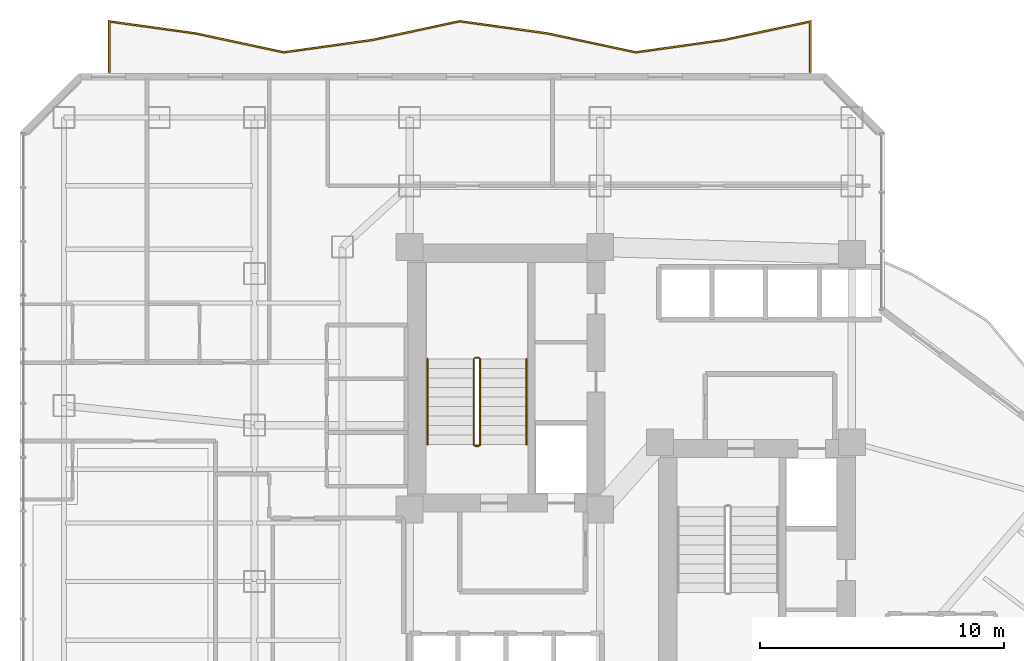
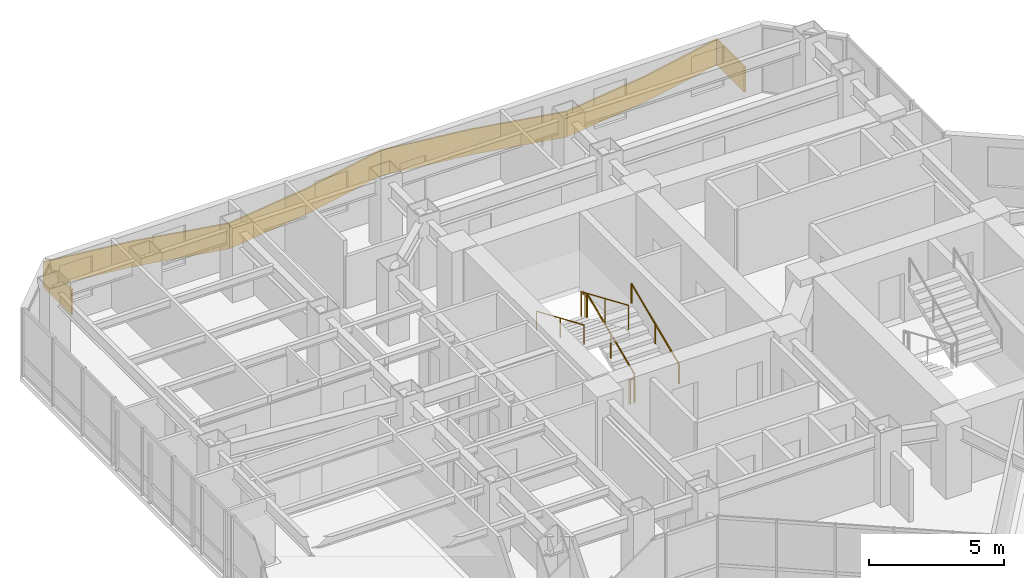
# One storey, part 35 of 36: 8 railings.
"""IFC4 building model written with IfcOpenShell, lengths in metres."""

from ifc_helpers import new_model, si_unit, direction, frame, origin, origin_2d, place, context, subcontext, project, spatial, polyline, circle, outline, extrude, material, layer, layer_set, type_object, element, save


model = new_model("IFC4")

# Units and contexts
model_context = context("Model", 3, precision=1e-05, world=origin(), true_north=direction((0.0, 1.0)))
body_context = subcontext(model_context, "Body", "Model", "MODEL_VIEW")
ifc_project = project(units=[si_unit("LENGTHUNIT", "METRE"), si_unit("AREAUNIT", "SQUARE_METRE"), si_unit("VOLUMEUNIT", "CUBIC_METRE"), si_unit("PLANEANGLEUNIT", "RADIAN"), si_unit("MASSUNIT", "GRAM", prefix="KILO")], contexts=[model_context])

# Site, building, storey
site_placement = place(None, origin())
site = spatial("IfcSite", under=ifc_project, at=site_placement, CompositionType="ELEMENT")
building_placement = place(site_placement, origin())
building = spatial("IfcBuilding", under=site, at=building_placement, Name="Hatsunagi Terrace Concourse", CompositionType="ELEMENT")
storey_placement = place(building_placement, frame((0.0, 0.0, 88.0)))
storey = spatial("IfcBuildingStorey", under=building, at=storey_placement, Name="L23", CompositionType="ELEMENT", Elevation=88.0)

# Railings
ifc_material_1 = material(Name="Laminated Glass and Stainless Steel Guard", Category="steel")
ifc_layer_1 = layer(ifc_material_1, 0.070068359375)
ifc_layer_set_1 = layer_set([ifc_layer_1], Name="BalconyGlassGuardRail_1150")
railing_type_1 = type_object("IfcRailingType", Name="BalconyGlassGuardRail_1150", PredefinedType="BALUSTRADE", material=ifc_layer_set_1)
railing_1_placement = place(storey_placement, origin())
element("IfcRailing", 1, at=railing_1_placement, inside=storey, type_object=railing_type_1, Name="Engawa Balcony Guard GRD-01 L23-BN-1", PredefinedType="BALUSTRADE", context=body_context, shape_type="SweptSolid", body=[
    extrude(outline(polyline([(13.215087890625, 50.449951171875), (13.284912109375, 50.449951171875), (13.284912109375, 52.48876953125), (16.784912109375, 52.00146484375), (20.396728515625, 51.2275390625), (24.01513671875, 51.7314453125), (27.603271484375, 52.49951171875), (31.184814453125, 52.00146484375), (34.796630859375, 51.2275390625), (38.4150390625, 51.7314453125), (41.9150390625, 52.480712890625), (41.9150390625, 50.449951171875), (41.985107421875, 50.449951171875), (41.985107421875, 52.5673828125), (38.40283203125, 51.800537109375), (34.79931640625, 51.298583984375), (31.197021484375, 52.070556640625), (27.6005859375, 52.570556640625), (24.0029296875, 51.800537109375), (20.3994140625, 51.298583984375), (16.797119140625, 52.070556640625), (13.215087890625, 52.569091796875), (13.215087890625, 50.449951171875)])), origin(), (0.0, 0.0, 1.0), 1.14990234375),
])
ifc_material_2 = material(Name="Stainless steel", Category="steel")
ifc_layer_2 = layer(ifc_material_2, 0.044921875)
ifc_layer_set_2 = layer_set([ifc_layer_2], Name="StairPitchHandrail_Tower2000")
railing_type_2 = type_object("IfcRailingType", Name="StairPitchHandrail_Tower2000", PredefinedType="HANDRAIL", material=ifc_layer_set_2)
railing_2_placement = place(storey_placement, frame((30.330078125, 35.199951171875, 0.16748046875)))
element("IfcRailing", 2, at=railing_2_placement, inside=storey, type_object=railing_type_2, Name="L23 ST-A stair handrail 1", PredefinedType="HANDRAIL", context=body_context, shape_type="SweptSolid", body=[
    extrude(circle(Radius=0.02392578125, at=origin_2d()), frame((0.0, 0.0, 0.8759765625), z_axis=(0.0, 0.918834009242, 0.394644223904), x_axis=(-1.0, 0.0, 0.0)), (0.0, 0.0, 1.0), 3.820068359375),
    extrude(circle(Radius=0.02099609375, at=origin_2d()), origin(), (0.0, 0.0, 1.0), 0.851806640625),
    extrude(circle(Radius=0.02099609375, at=origin_2d()), frame((0.0, 1.7548828125, 0.75390625)), (0.0, 0.0, 1.0), 0.851806640625),
    extrude(circle(Radius=0.02099609375, at=origin_2d()), frame((0.0, 3.510009765625, 1.507568359375)), (0.0, 0.0, 1.0), 0.851806640625),
])
railing_3_placement = place(storey_placement, frame((26.280029296875, 38.7099609375, 1.842529296875)))
element("IfcRailing", 3, at=railing_3_placement, inside=storey, type_object=railing_type_2, Name="L23 ST-A stair handrail 2", PredefinedType="HANDRAIL", context=body_context, shape_type="SweptSolid", body=[
    extrude(circle(Radius=0.02392578125, at=origin_2d()), frame((0.0, 0.0, 0.8759765625), z_axis=(0.0, -0.918834009242, 0.394644223904), x_axis=(1.0, 0.0, 0.0)), (0.0, 0.0, 1.0), 3.820068359375),
    extrude(circle(Radius=0.02099609375, at=origin_2d()), origin(), (0.0, 0.0, 1.0), 0.851806640625),
    extrude(circle(Radius=0.02099609375, at=origin_2d()), frame((0.0, -1.7548828125, 0.75390625)), (0.0, 0.0, 1.0), 0.851806640625),
    extrude(circle(Radius=0.02099609375, at=origin_2d()), frame((0.0, -3.510009765625, 1.507568359375)), (0.0, 0.0, 1.0), 0.851806640625),
])
ifc_material_3 = material(Name="Stainless steel", Category="steel")
ifc_layer_3 = layer(ifc_material_3, 0.06005859375)
ifc_layer_set_3 = layer_set([ifc_layer_3], Name="StairWellGuard_Tower2000")
railing_type_3 = type_object("IfcRailingType", Name="StairWellGuard_Tower2000", PredefinedType="BALUSTRADE", material=ifc_layer_set_3)
railing_4_placement = place(storey_placement, frame((28.429931640625, 35.199951171875, 0.16748046875)))
element("IfcRailing", 4, at=railing_4_placement, inside=storey, type_object=railing_type_3, Name="L23 ST-A stair guard 1", PredefinedType="BALUSTRADE", context=body_context, shape_type="SweptSolid", body=[
    extrude(circle(Radius=0.02392578125, at=origin_2d()), frame((0.0, 0.0, 1.09619140625), z_axis=(0.0, 0.918834009242, 0.394644223904), x_axis=(-1.0, 0.0, 0.0)), (0.0, 0.0, 1.0), 3.820068359375),
    extrude(circle(Radius=0.02099609375, at=origin_2d()), origin(), (0.0, 0.0, 1.0), 1.072021484375),
    extrude(circle(Radius=0.02099609375, at=origin_2d()), frame((0.0, 1.7548828125, 0.75390625)), (0.0, 0.0, 1.0), 1.072021484375),
    extrude(circle(Radius=0.02099609375, at=origin_2d()), frame((0.0, 3.510009765625, 1.507568359375)), (0.0, 0.0, 1.0), 1.072021484375),
])
railing_5_placement = place(storey_placement, frame((28.3798828125, 38.760009765625, 1.675048828125)))
element("IfcRailing", 5, at=railing_5_placement, inside=storey, type_object=railing_type_3, Name="L23 ST-A stair guard 2", PredefinedType="BALUSTRADE", context=body_context, shape_type="SweptSolid", body=[
    extrude(circle(Radius=0.02392578125, at=origin_2d()), frame((0.0, 0.0, 1.09619140625), z_axis=(-1.0, 0.0, 0.0), x_axis=(0.0, -1.0, 0.0)), (0.0, 0.0, 1.0), 0.14990234375),
    extrude(circle(Radius=0.02099609375, at=origin_2d()), origin(), (0.0, 0.0, 1.0), 1.072021484375),
    extrude(circle(Radius=0.02099609375, at=origin_2d()), frame((-0.14990234375, 0.0, 0.0)), (0.0, 0.0, 1.0), 1.072021484375),
])
railing_6_placement = place(storey_placement, frame((28.179931640625, 38.7099609375, 1.842529296875)))
element("IfcRailing", 6, at=railing_6_placement, inside=storey, type_object=railing_type_3, Name="L23 ST-A stair guard 3", PredefinedType="BALUSTRADE", context=body_context, shape_type="SweptSolid", body=[
    extrude(circle(Radius=0.02392578125, at=origin_2d()), frame((0.0, 0.0, 1.09619140625), z_axis=(0.0, -0.918834009242, 0.394644223904), x_axis=(1.0, 0.0, 0.0)), (0.0, 0.0, 1.0), 3.820068359375),
    extrude(circle(Radius=0.02099609375, at=origin_2d()), origin(), (0.0, 0.0, 1.0), 1.072021484375),
    extrude(circle(Radius=0.02099609375, at=origin_2d()), frame((0.0, -1.7548828125, 0.75390625)), (0.0, 0.0, 1.0), 1.072021484375),
    extrude(circle(Radius=0.02099609375, at=origin_2d()), frame((0.0, -3.510009765625, 1.507568359375)), (0.0, 0.0, 1.0), 1.072021484375),
])
railing_7_placement = place(storey_placement, frame((28.3798828125, 35.14990234375, 0.0)))
element("IfcRailing", 7, at=railing_7_placement, inside=storey, type_object=railing_type_3, Name="L23 ST-A stair guard 4", PredefinedType="BALUSTRADE", context=body_context, shape_type="SweptSolid", body=[
    extrude(circle(Radius=0.02392578125, at=origin_2d()), frame((0.0, 0.0, 1.09619140625), z_axis=(-1.0, 0.0, 0.0), x_axis=(0.0, -1.0, 0.0)), (0.0, 0.0, 1.0), 0.14990234375),
    extrude(circle(Radius=0.02099609375, at=origin_2d()), origin(), (0.0, 0.0, 1.0), 1.072021484375),
    extrude(circle(Radius=0.02099609375, at=origin_2d()), frame((-0.14990234375, 0.0, 0.0)), (0.0, 0.0, 1.0), 1.072021484375),
])
ifc_material_4 = material(Name="Stainless Steel SUS316 Post-and-Rail Guard", Category="steel")
ifc_layer_4 = layer(ifc_material_4, 0.080078125)
ifc_layer_set_4 = layer_set([ifc_layer_4], Name="TerracePlantedGuardRail_1200")
railing_type_4 = type_object("IfcRailingType", Name="TerracePlantedGuardRail_1200", PredefinedType="GUARDRAIL", material=ifc_layer_set_4)
railing_8_placement = place(storey_placement, frame((28.179931640625, 35.179931640625, 0.0)))
element("IfcRailing", 8, at=railing_8_placement, inside=storey, type_object=railing_type_4, Name="Stair ST-A Well Closure Guard L23", PredefinedType="GUARDRAIL", context=body_context, shape_type="SweptSolid", body=[
    extrude(circle(Radius=0.02392578125, at=origin_2d()), frame((0.0, 0.0, 1.09619140625), z_axis=(1.0, 0.0, 0.0), x_axis=(0.0, 1.0, 0.0)), (0.0, 0.0, 1.0), 0.25),
    extrude(circle(Radius=0.02099609375, at=origin_2d()), origin(), (0.0, 0.0, 1.0), 1.072021484375),
    extrude(circle(Radius=0.02099609375, at=origin_2d()), frame((0.25, 0.0, 0.0)), (0.0, 0.0, 1.0), 1.072021484375),
])

save(model, "model.ifc")
